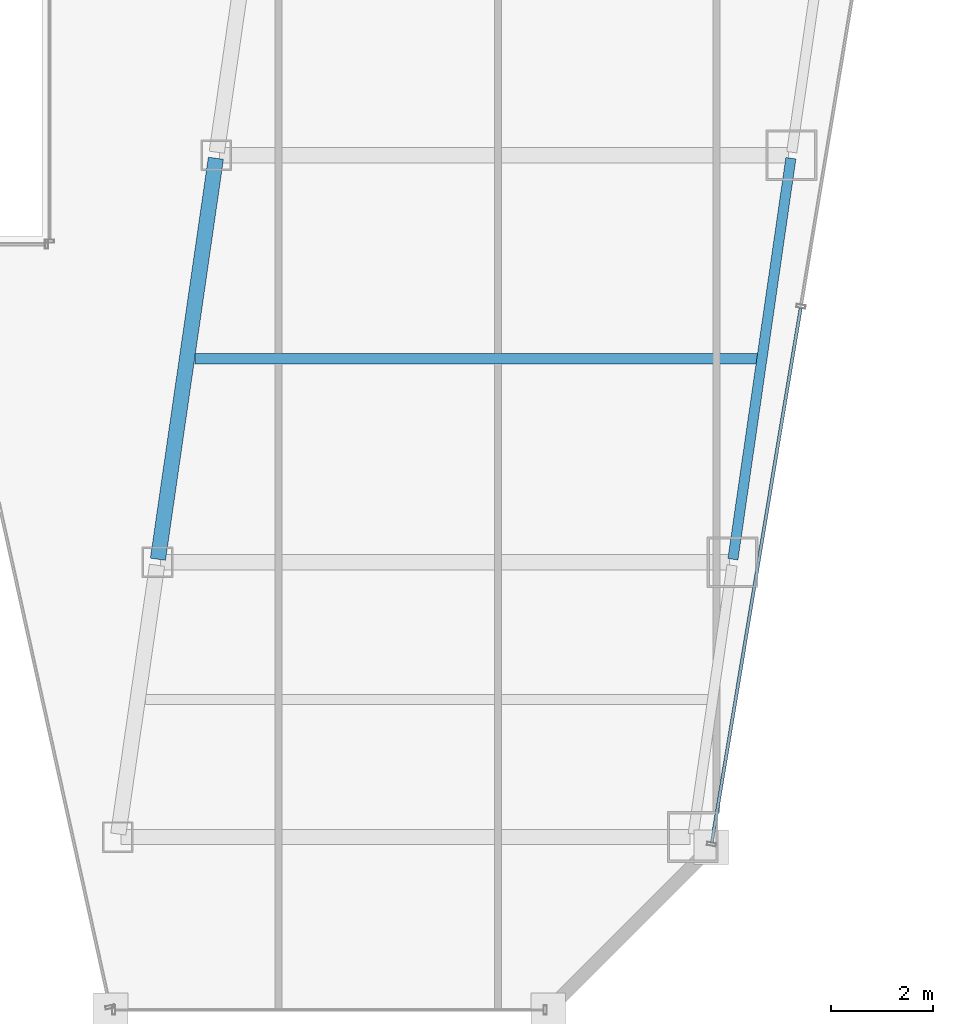
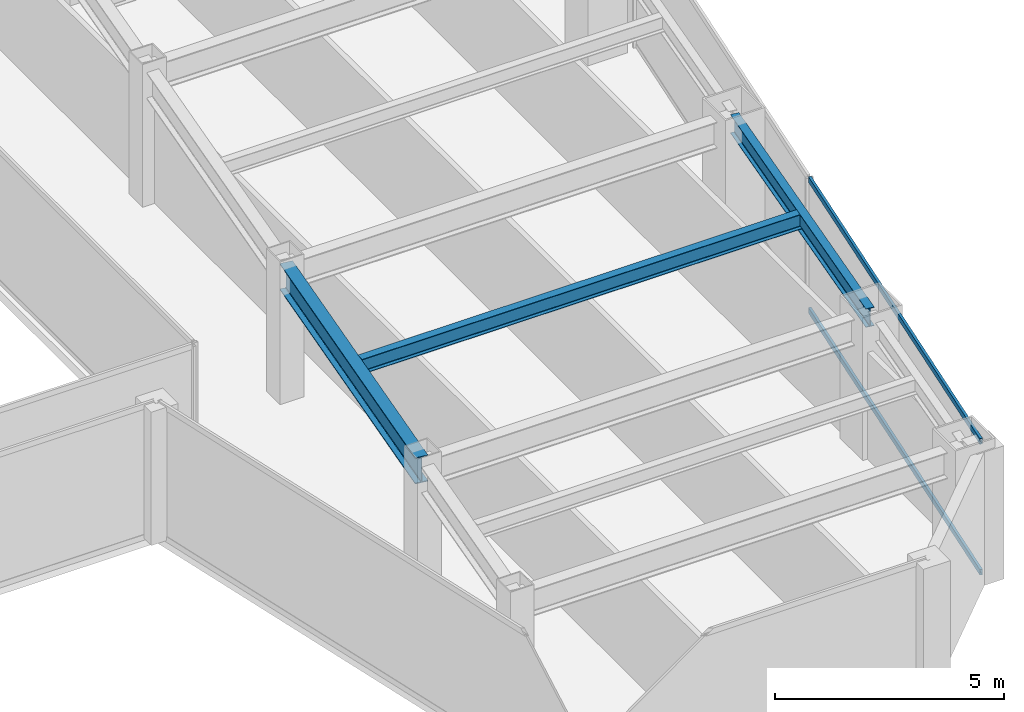
# One storey, part 15 of 37: 3 beams, 2 members, 1 element without a shape of its own.
"""IFC4 building model written with IfcOpenShell, lengths in metres."""

from ifc_helpers import new_model, si_unit, direction, frame, origin, origin_2d, place, context, subcontext, project, spatial, hollow_rectangle, i_section, extrude, material, material_profile, profile_set, type_object, element, aggregate, save


model = new_model("IFC4")

# Units and contexts
model_context = context("Model", 3, precision=1e-05, world=origin(), true_north=direction((0.0, 1.0)))
body_context = subcontext(model_context, "Body", "Model", "MODEL_VIEW")
ifc_project = project(units=[si_unit("LENGTHUNIT", "METRE"), si_unit("AREAUNIT", "SQUARE_METRE"), si_unit("VOLUMEUNIT", "CUBIC_METRE"), si_unit("PLANEANGLEUNIT", "RADIAN"), si_unit("MASSUNIT", "GRAM", prefix="KILO")], contexts=[model_context])

# Site, building, storey
site_placement = place(None, origin())
site = spatial("IfcSite", under=ifc_project, at=site_placement, CompositionType="ELEMENT")
building_placement = place(site_placement, origin())
building = spatial("IfcBuilding", under=site, at=building_placement, Name="Saevonmaru Cultural Tower", CompositionType="ELEMENT")
storey_placement = place(building_placement, frame((0.0, 0.0, 141.0)))
storey = spatial("IfcBuildingStorey", under=building, at=storey_placement, Name="L30", CompositionType="ELEMENT", Elevation=141.0)

# Beams
ifc_material_1 = material(Name="Steel SM355", Category="steel")
ifc_material_profile_1 = material_profile(ifc_material_1, i_section(OverallWidth=0.300048828125, OverallDepth=0.699951171875, WebThickness=0.012939453125, FlangeThickness=0.02392578125, FilletRadius=0.02587890625, at=origin_2d()), Name="H-700x300x13x24")
ifc_profile_set_1 = profile_set([ifc_material_profile_1], Name="Steel SM355")
beam_type_1 = type_object("IfcBeamType", Name="BM-G-H700", PredefinedType="BEAM", material=ifc_profile_set_1)
beam_1_placement = place(storey_placement, frame((38.08056640625, 16.059326171875, 3.199951171875), z_axis=(0.143022161059, 0.989719486241, 0.0), x_axis=(-0.989719486241, 0.143022161059, 0.0)))
element("IfcBeam", 1, at=beam_1_placement, inside=storey, type_object=beam_type_1, Name="L30 East Atrium Girder 2", PredefinedType="BEAM", context=body_context, shape_type="SweptSolid", body=[
    extrude(i_section(OverallWidth=0.300048828125, OverallDepth=0.699951171875, WebThickness=0.012939453125, FlangeThickness=0.02392578125, FilletRadius=0.02587890625, at=origin_2d()), origin(), (0.0, 0.0, 1.0), 7.963134765625),
])
ifc_material_profile_2 = material_profile(ifc_material_1, i_section(OverallWidth=0.199951171875, OverallDepth=0.39990234375, WebThickness=0.008056640625, FlangeThickness=0.012939453125, FilletRadius=0.01611328125, at=origin_2d()), Name="H-400x200x8x13")
ifc_profile_set_2 = profile_set([ifc_material_profile_2], Name="Steel SM355")
beam_type_2 = type_object("IfcBeamType", Name="BM-J-H400", PredefinedType="JOIST", material=ifc_profile_set_2)
beam_2_placement = place(storey_placement, frame((38.80810546875, 20.0, 3.35009765625), z_axis=(1.0, 0.0, 0.0), x_axis=(0.0, 1.0, 0.0)))
element("IfcBeam", 2, at=beam_2_placement, inside=storey, type_object=beam_type_2, Name="L30 East Wing Floor Joist 2", PredefinedType="JOIST", context=body_context, shape_type="SweptSolid", body=[
    extrude(i_section(OverallWidth=0.199951171875, OverallDepth=0.39990234375, WebThickness=0.008056640625, FlangeThickness=0.012939453125, FilletRadius=0.01611328125, at=origin_2d()), origin(), (0.0, 0.0, 1.0), 11.081787109375),
])
ifc_material_profile_3 = material_profile(ifc_material_1, i_section(OverallWidth=0.199951171875, OverallDepth=0.5, WebThickness=0.010009765625, FlangeThickness=0.01611328125, FilletRadius=0.02001953125, at=origin_2d()), Name="H-500x200x10x16")
ifc_profile_set_3 = profile_set([ifc_material_profile_3], Name="Steel SM355")
beam_type_3 = type_object("IfcBeamType", Name="BM-SP-H500", PredefinedType="SPANDREL", material=ifc_profile_set_3)
beam_3_placement = place(storey_placement, frame((49.380615234375, 16.059326171875, 3.300048828125), z_axis=(0.142992129437, 0.989723825579, 0.0), x_axis=(-0.989723825579, 0.142992129437, 0.0)))
element("IfcBeam", 3, at=beam_3_placement, inside=storey, type_object=beam_type_3, Name="L30 East Splayed Spandrel 2", PredefinedType="SPANDREL", context=body_context, shape_type="SweptSolid", body=[
    extrude(i_section(OverallWidth=0.199951171875, OverallDepth=0.5, WebThickness=0.010009765625, FlangeThickness=0.01611328125, FilletRadius=0.02001953125, at=origin_2d()), origin(), (0.0, 0.0, 1.0), 7.963134765625),
])

# Curtain wall, members
ifc_material_2 = material(Name="Satin Bronze Anodised Aluminium", Category="aluminium")
curtain_wall_type = type_object("IfcCurtainWallType", Name="CW-TYP-A", PredefinedType="NOTDEFINED", material=ifc_material_2)
curtain_wall_placement = place(storey_placement, origin())
curtain_wall = element("IfcCurtainWall", 4, at=curtain_wall_placement, inside=storey, type_object=curtain_wall_type, Name="L30 Unitised Curtain Wall E8", PredefinedType="NOTDEFINED")
ifc_material_profile_4 = material_profile(ifc_material_2, hollow_rectangle(XDim=0.06494140625, YDim=0.14990234375, WallThickness=0.00390625, at=origin_2d()), Name="ALU-TRAN-150x65x4")
ifc_profile_set_4 = profile_set([ifc_material_profile_4], Name="Satin Bronze Anodised Aluminium")
member_type = type_object("IfcMemberType", Name="TR-CW-150x65", PredefinedType="USERDEFINED", material=ifc_profile_set_4)
member_1_placement = place(storey_placement, frame((48.96630859375, 10.4912109375, 0.032470703125), z_axis=(0.163990079074, 0.9864619881, 0.0), x_axis=(-0.9864619881, 0.163990079074, 0.0)))
member_1 = element("IfcMember", 5, at=member_1_placement, type_object=member_type, Name="CW-TW-L30-E8 transom 1.1", ObjectType="TRANSOM", PredefinedType="USERDEFINED", context=body_context, shape_type="SweptSolid", body=[
    extrude(hollow_rectangle(XDim=0.06494140625, YDim=0.14990234375, WallThickness=0.00390625, at=origin_2d()), origin(), (0.0, 0.0, 1.0), 10.650634765625),
])
member_2_placement = place(storey_placement, frame((48.96630859375, 10.4912109375, 3.517578125), z_axis=(0.163990079074, 0.9864619881, 0.0), x_axis=(-0.9864619881, 0.163990079074, 0.0)))
member_2 = element("IfcMember", 6, at=member_2_placement, type_object=member_type, Name="CW-TW-L30-E8 transom 1.2", ObjectType="TRANSOM", PredefinedType="USERDEFINED", context=body_context, shape_type="SweptSolid", body=[
    extrude(hollow_rectangle(XDim=0.06494140625, YDim=0.14990234375, WallThickness=0.00390625, at=origin_2d()), origin(), (0.0, 0.0, 1.0), 10.650634765625),
])
aggregate(curtain_wall, [member_1, member_2])

save(model, "model.ifc")
